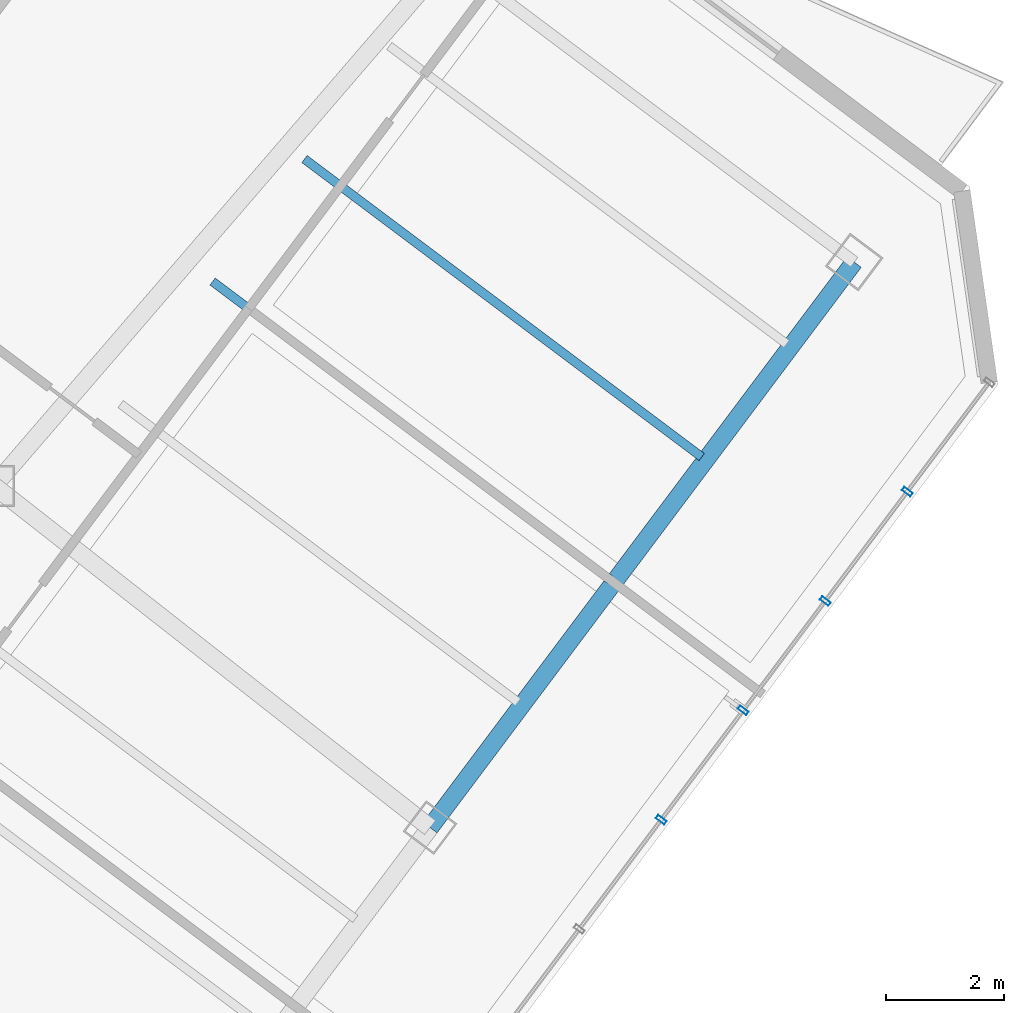
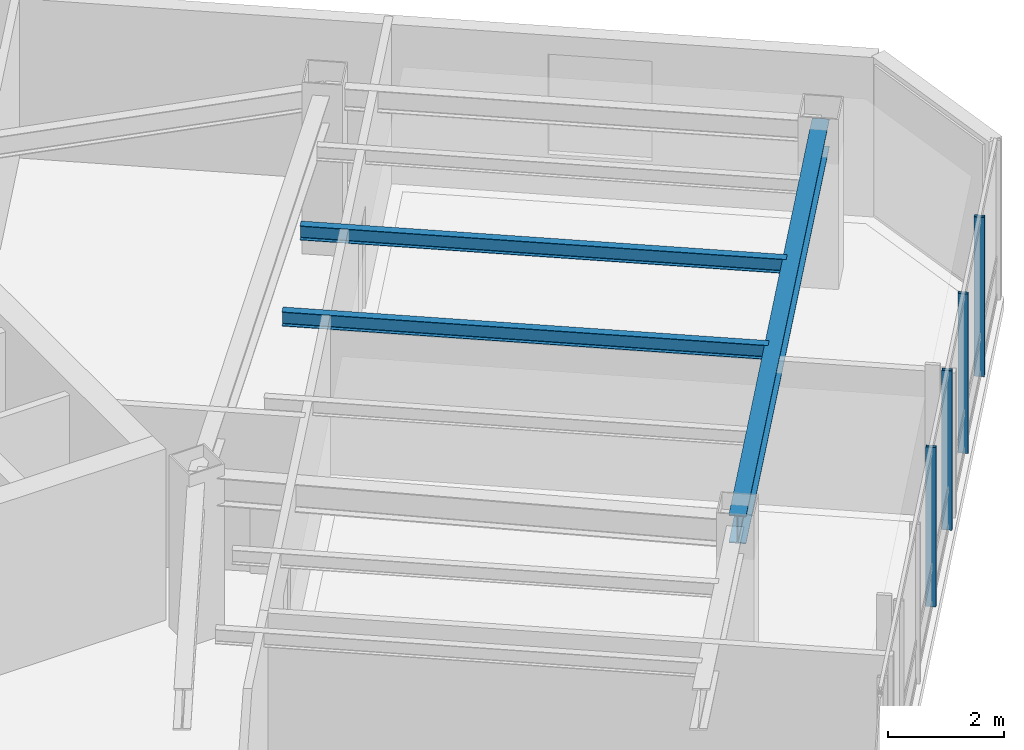
# One storey, part 13 of 26: 4 members, 3 beams, 1 element without a shape of its own.
"""IFC4 building model written with IfcOpenShell, lengths in metres."""

from ifc_helpers import new_model, si_unit, direction, frame, origin, origin_2d, place, context, subcontext, project, spatial, hollow_rectangle, i_section, extrude, material, layer, layer_set, material_profile, profile_set, type_object, element, aggregate, save


model = new_model("IFC4")

# Units and contexts
model_context = context("Model", 3, precision=1e-05, world=origin(), true_north=direction((0.0, 1.0)))
body_context = subcontext(model_context, "Body", "Model", "MODEL_VIEW")
ifc_project = project(units=[si_unit("LENGTHUNIT", "METRE"), si_unit("AREAUNIT", "SQUARE_METRE"), si_unit("VOLUMEUNIT", "CUBIC_METRE"), si_unit("PLANEANGLEUNIT", "RADIAN"), si_unit("MASSUNIT", "GRAM", prefix="KILO")], contexts=[model_context])

# Site, building, storey
site_placement = place(None, origin())
site = spatial("IfcSite", under=ifc_project, at=site_placement, CompositionType="ELEMENT")
building_placement = place(site_placement, origin())
building = spatial("IfcBuilding", under=site, at=building_placement, Name="Hatsunagi Terrace Concourse", CompositionType="ELEMENT")
storey_placement = place(building_placement, frame((0.0, 0.0, 227.550048828125)))
storey = spatial("IfcBuildingStorey", under=building, at=storey_placement, Name="L60", CompositionType="ELEMENT", Elevation=227.550048828125)

# Curtain wall, members
ifc_material_1 = material(Name="Anodised Aluminium Alloy 6063-T5", Category="aluminium")
ifc_layer = layer(ifc_material_1, 0.199951171875)
ifc_layer_set = layer_set([ifc_layer], Name="OfficeZone2_CW04")
curtain_wall_type = type_object("IfcCurtainWallType", Name="OfficeZone2_CW04", PredefinedType="NOTDEFINED", material=ifc_layer_set)
curtain_wall_placement = place(storey_placement, origin())
curtain_wall = element("IfcCurtainWall", 1, at=curtain_wall_placement, inside=storey, type_object=curtain_wall_type, Name="Unitised Curtain Wall CW-04 CW-L60-03", PredefinedType="NOTDEFINED")
ifc_material_2 = material(Name="Anodised Aluminium Alloy 6063-T5", Category="aluminium")
ifc_material_profile_1 = material_profile(ifc_material_2, hollow_rectangle(XDim=0.070068359375, YDim=0.179931640625, WallThickness=0.00390625, at=origin_2d()), Name="ALU-MUL-180x70x4")
ifc_profile_set_1 = profile_set([ifc_material_profile_1], Name="Anodised Aluminium Alloy 6063-T5")
member_type = type_object("IfcMemberType", Name="CurtainWallMullion_180x70", PredefinedType="MULLION", material=ifc_profile_set_1)
member_1_placement = place(storey_placement, frame((59.301025390625, 24.10205078125, 0.0), z_axis=(0.0, 0.0, 1.0), x_axis=(-0.599969314634, -0.800023013105, 0.0)))
member_1 = element("IfcMember", 2, at=member_1_placement, type_object=member_type, Name="Curtain Wall Mullion MUL-02", PredefinedType="MULLION", context=body_context, shape_type="SweptSolid", body=[
    extrude(hollow_rectangle(XDim=0.070068359375, YDim=0.179931640625, WallThickness=0.00390625, at=origin_2d()), origin(), (0.0, 0.0, 1.0), 3.349853515625),
])
member_2_placement = place(storey_placement, frame((57.908935546875, 22.2451171875, 0.0), z_axis=(0.0, 0.0, 1.0), x_axis=(-0.599969314634, -0.800023013105, 0.0)))
member_2 = element("IfcMember", 3, at=member_2_placement, type_object=member_type, Name="Curtain Wall Mullion MUL-02", PredefinedType="MULLION", context=body_context, shape_type="SweptSolid", body=[
    extrude(hollow_rectangle(XDim=0.070068359375, YDim=0.179931640625, WallThickness=0.00390625, at=origin_2d()), origin(), (0.0, 0.0, 1.0), 3.349853515625),
])
member_3_placement = place(storey_placement, frame((56.51611328125, 20.388916015625, 0.0), z_axis=(0.0, 0.0, 1.0), x_axis=(-0.599969314634, -0.800023013105, 0.0)))
member_3 = element("IfcMember", 4, at=member_3_placement, type_object=member_type, Name="Curtain Wall Mullion MUL-02", PredefinedType="MULLION", context=body_context, shape_type="SweptSolid", body=[
    extrude(hollow_rectangle(XDim=0.070068359375, YDim=0.179931640625, WallThickness=0.00390625, at=origin_2d()), origin(), (0.0, 0.0, 1.0), 3.349853515625),
])
member_4_placement = place(storey_placement, frame((55.1240234375, 18.531982421875, 0.0), z_axis=(0.0, 0.0, 1.0), x_axis=(-0.599969314634, -0.800023013105, 0.0)))
member_4 = element("IfcMember", 5, at=member_4_placement, type_object=member_type, Name="Curtain Wall Mullion MUL-02", PredefinedType="MULLION", context=body_context, shape_type="SweptSolid", body=[
    extrude(hollow_rectangle(XDim=0.070068359375, YDim=0.179931640625, WallThickness=0.00390625, at=origin_2d()), origin(), (0.0, 0.0, 1.0), 3.349853515625),
])
aggregate(curtain_wall, [member_1, member_2, member_3, member_4])

# Beams
ifc_material_3 = material(Name="Steel SN490B", Category="steel")
ifc_material_profile_2 = material_profile(ifc_material_3, i_section(OverallWidth=0.300048828125, OverallDepth=0.587890625, WebThickness=0.011962890625, FlangeThickness=0.02001953125, FilletRadius=0.01806640625, at=origin_2d()), Name="H-588x300x12x20")
ifc_profile_set_2 = profile_set([ifc_material_profile_2], Name="Steel SN490B")
beam_type_1 = type_object("IfcBeamType", Name="OfficeHighGirder_H_588x300", PredefinedType="BEAM", material=ifc_profile_set_2)
beam_placement = place(storey_placement, frame((51.199951171875, 18.39990234375, 3.055908203125), z_axis=(0.59999348959, 0.800004882766, 0.0), x_axis=(-0.800004882766, 0.59999348959, 0.0)))
element("IfcBeam", 6, at=beam_placement, inside=storey, type_object=beam_type_1, Name="Beam G-06 BM-L60-SET-2B", PredefinedType="BEAM", context=body_context, shape_type="SweptSolid", body=[
    extrude(i_section(OverallWidth=0.300048828125, OverallDepth=0.587890625, WebThickness=0.011962890625, FlangeThickness=0.02001953125, FilletRadius=0.01806640625, at=origin_2d()), origin(), (0.0, 0.0, 1.0), 12.0),
])
ifc_material_4 = material(Name="Steel SN490B", Category="steel")
ifc_material_profile_3 = material_profile(ifc_material_4, i_section(OverallWidth=0.14990234375, OverallDepth=0.300048828125, WebThickness=0.006591796875, FlangeThickness=0.009033203125, FilletRadius=0.010986328125, at=origin_2d()), Name="H-300x150x6.5x9")
ifc_profile_set_3 = profile_set([ifc_material_profile_3], Name="Steel SN490B")
beam_type_2 = type_object("IfcBeamType", Name="OfficeJoist_H_300x150", PredefinedType="JOIST", material=ifc_profile_set_3)
for number, where, z_axis, x_axis, name in (
    (7, (47.508056640625, 27.6689453125, 3.199951171875), (0.800003475366, -0.59999536615, 0.0), (0.59999536615, 0.800003475366, 0.0), "Beam J-03 J-L60-SE-2-168"),
    (8, (49.068115234375, 29.7490234375, 3.199951171875), (0.799989573921, -0.600013901187, 0.0), (0.600013901187, 0.799989573921, 0.0), "Beam J-03 J-L60-SE-2-194"),
):
    element("IfcBeam", number, at=place(storey_placement, frame(where, z_axis=z_axis, x_axis=x_axis)), inside=storey, type_object=beam_type_2, Name=name, PredefinedType="JOIST", context=body_context, shape_type="SweptSolid", body=[
        extrude(i_section(OverallWidth=0.14990234375, OverallDepth=0.300048828125, WebThickness=0.006591796875, FlangeThickness=0.009033203125, FilletRadius=0.010986328125, at=origin_2d()), origin(), (0.0, 0.0, 1.0), 8.429931640625),
    ])

save(model, "model.ifc")
